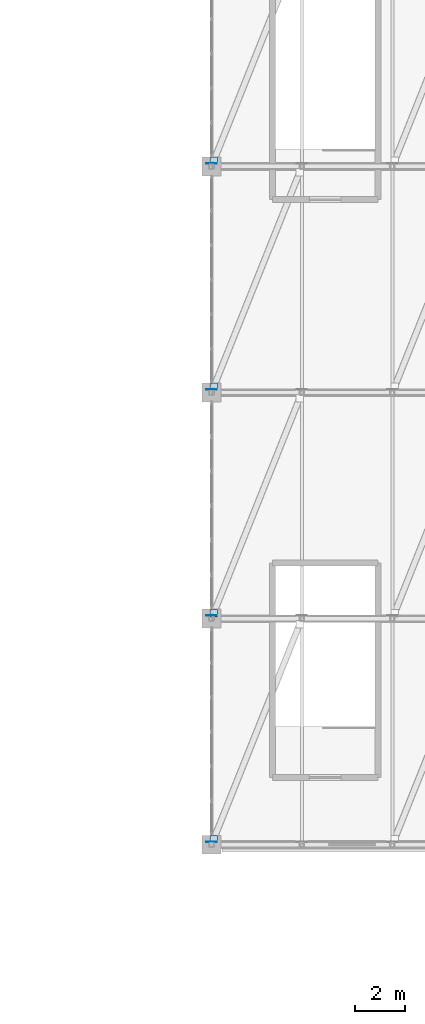
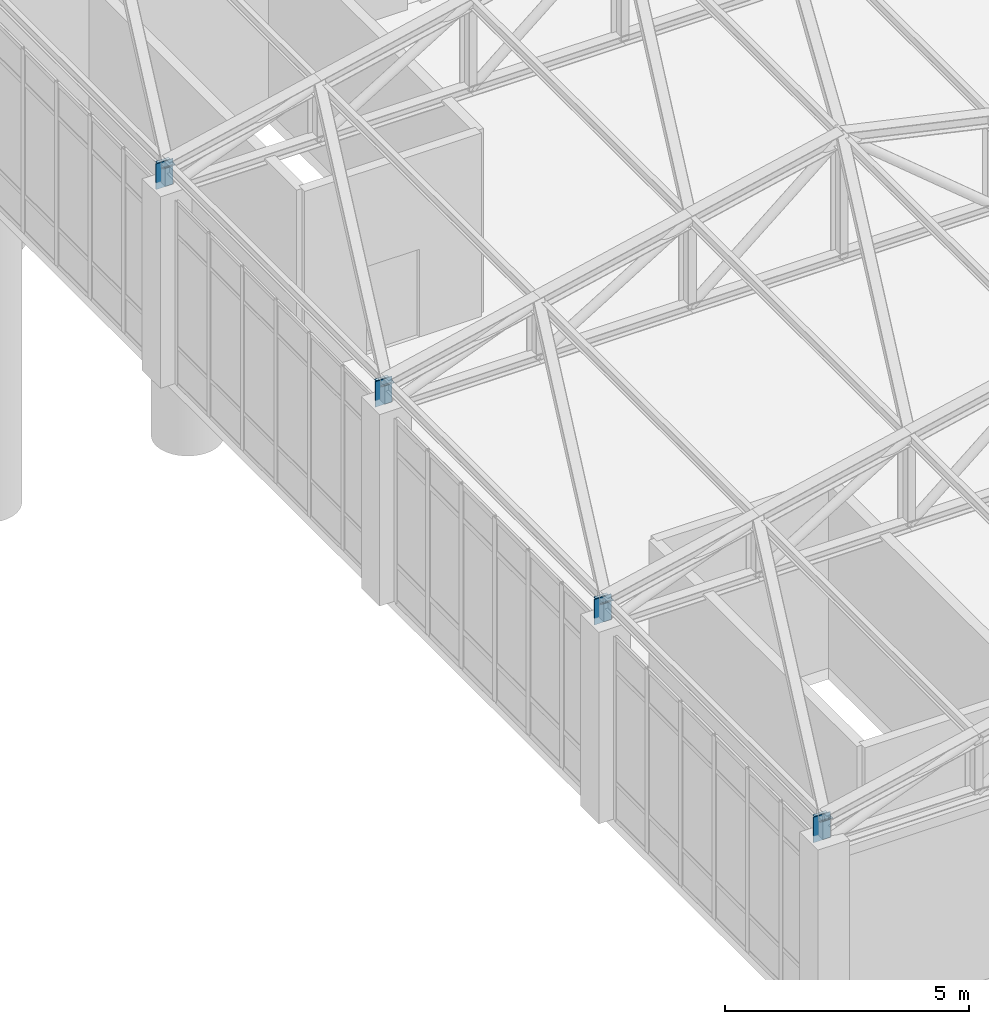
# One storey, part 106 of 139: 8 plates.
"""IFC4 building model written with IfcOpenShell, lengths in metres."""

from ifc_helpers import new_model, si_unit, direction, frame, origin, origin_2d, place, context, subcontext, project, spatial, rectangle, extrude, material, layer, layer_set, type_object, element, save


model = new_model("IFC4")

# Units and contexts
model_context = context("Model", 3, precision=1e-05, world=origin(), true_north=direction((0.0, 1.0)))
body_context = subcontext(model_context, "Body", "Model", "MODEL_VIEW")
ifc_project = project(units=[si_unit("LENGTHUNIT", "METRE"), si_unit("AREAUNIT", "SQUARE_METRE"), si_unit("VOLUMEUNIT", "CUBIC_METRE"), si_unit("PLANEANGLEUNIT", "RADIAN"), si_unit("MASSUNIT", "GRAM", prefix="KILO")], contexts=[model_context])

# Site, building, storey
site_placement = place(None, origin())
site = spatial("IfcSite", under=ifc_project, at=site_placement, CompositionType="ELEMENT")
building_placement = place(site_placement, origin())
building = spatial("IfcBuilding", under=site, at=building_placement, Name="Canglan Escarpment Cableway Terminal", CompositionType="ELEMENT")
storey_placement = place(building_placement, frame((0.0, 0.0, 14.39990234375)))
storey = spatial("IfcBuildingStorey", under=building, at=storey_placement, Name="L03", CompositionType="ELEMENT", Elevation=14.39990234375)

# Plates
ifc_material = material(Name="Steel Q355B", Category="steel")
ifc_layer_1 = layer(ifc_material, 0.01611328125, Name="Steel Q355B")
ifc_layer_set_1 = layer_set([ifc_layer_1], Name="Steel Q355B")
plate_type_1 = type_object("IfcPlateType", Name="PLT-GUSSET-16", PredefinedType="USERDEFINED", material=ifc_layer_set_1)
for number, where, z_axis, x_axis, name in (
    (1, (115.189208984375, 43.222900390625, 5.112060546875), (0.0, 0.0, 1.0), (1.0, 0.0, 0.0), "Cabin Garage roof brace end gusset plate GP-03"),
    (2, (115.189208984375, 52.222900390625, 5.112060546875), (0.0, 0.0, 1.0), (1.0, 0.0, 0.0), "Cabin Garage roof brace end gusset plate GP-03"),
    (3, (115.189208984375, 61.222900390625, 5.112060546875), (0.0, 0.0, 1.0), (1.0, 0.0, 0.0), "Cabin Garage roof brace end gusset plate GP-03"),
    (4, (115.189208984375, 70.222900390625, 5.112060546875), (0.0, 0.0, 1.0), (1.0, 0.0, 0.0), "Cabin Garage roof brace end gusset plate GP-03"),
):
    element("IfcPlate", number, at=place(storey_placement, frame(where, z_axis=z_axis, x_axis=x_axis)), inside=storey, type_object=plate_type_1, Name=name, ObjectType="GUSSET PLATE", PredefinedType="USERDEFINED", context=body_context, shape_type="SweptSolid", body=[
        extrude(rectangle(XDim=0.300048828125, YDim=0.300048828125, at=origin_2d()), origin(), (0.0, 0.0, 1.0), 0.01611328125),
    ])
ifc_layer_2 = layer(ifc_material, 0.02001953125, Name="Steel Q355B")
ifc_layer_set_2 = layer_set([ifc_layer_2], Name="Steel Q355B")
plate_type_2 = type_object("IfcPlateType", Name="PLT-GUSSET-20", PredefinedType="USERDEFINED", material=ifc_layer_set_2)
for number, where, z_axis, x_axis, name in (
    (5, (115.10009765625, 43.114990234375, 4.63037109375), (0.0, 0.0, 1.0), (1.0, 0.0, 0.0), "Pratt truss gusset plate GP-02"),
    (6, (115.10009765625, 52.114990234375, 4.63037109375), (0.0, 0.0, 1.0), (1.0, 0.0, 0.0), "Pratt truss gusset plate GP-02"),
    (7, (115.10009765625, 61.114990234375, 4.63037109375), (0.0, 0.0, 1.0), (1.0, 0.0, 0.0), "Pratt truss gusset plate GP-02"),
    (8, (115.10009765625, 70.114990234375, 4.63037109375), (0.0, 0.0, 1.0), (1.0, 0.0, 0.0), "Pratt truss gusset plate GP-02"),
):
    element("IfcPlate", number, at=place(storey_placement, frame(where, z_axis=z_axis, x_axis=x_axis)), inside=storey, type_object=plate_type_2, Name=name, ObjectType="GUSSET PLATE", PredefinedType="USERDEFINED", context=body_context, shape_type="SweptSolid", body=[
        extrude(rectangle(XDim=0.39990234375, YDim=0.02001953125, at=origin_2d()), origin(), (0.0, 0.0, 1.0), 0.639892578125),
    ])

save(model, "model.ifc")
